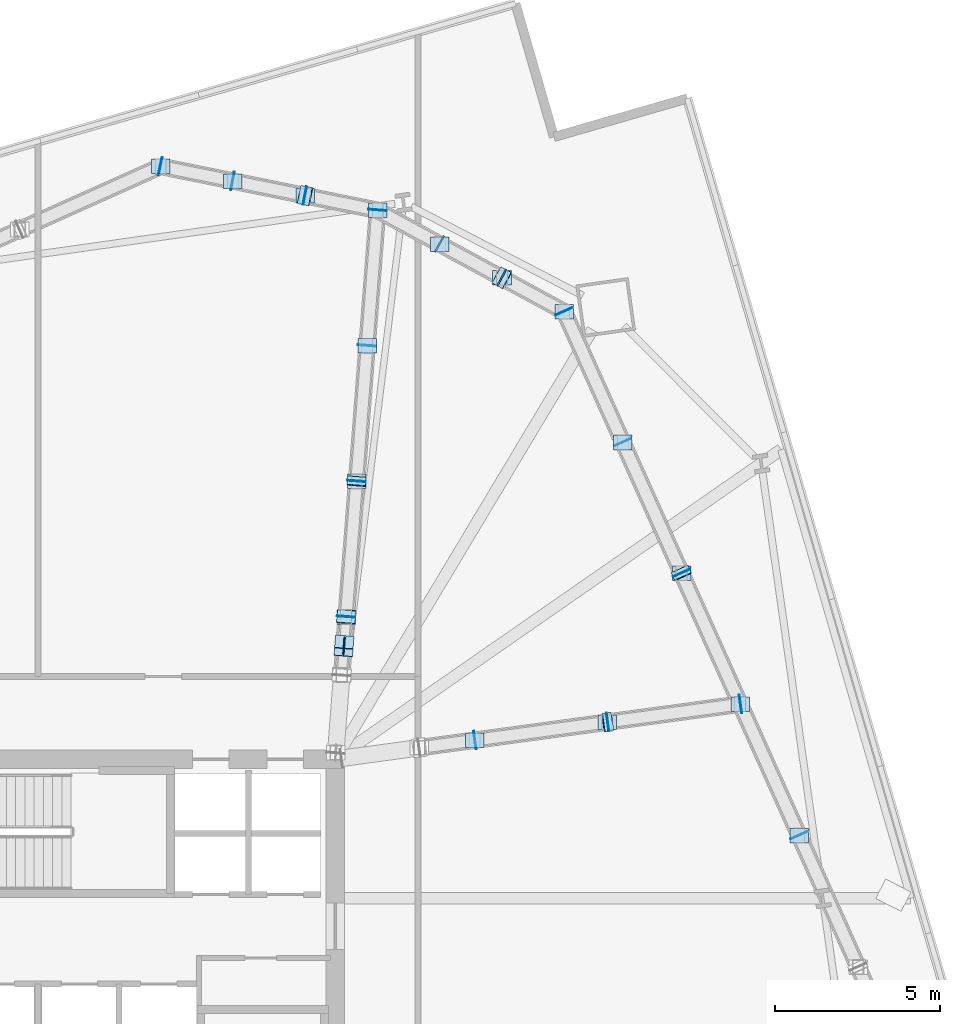
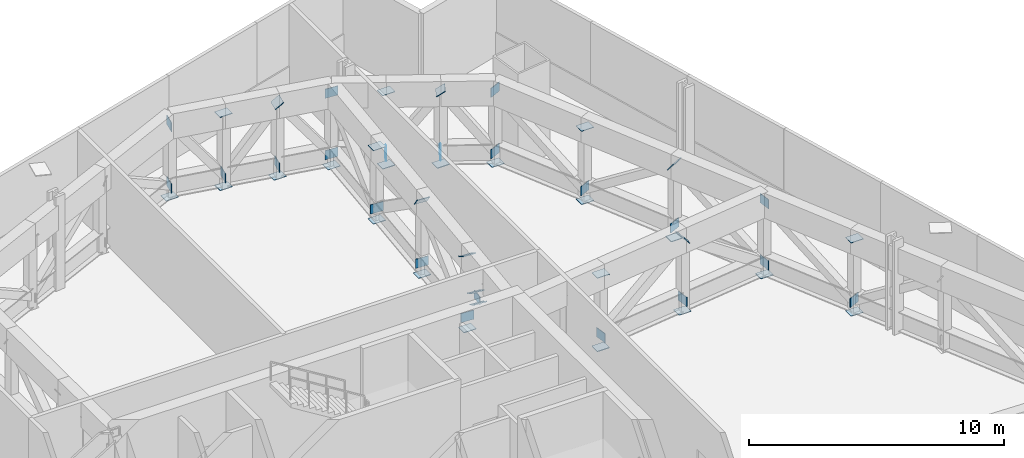
# One storey, part 11 of 19: 51 plates.
"""IFC4 building model written with IfcOpenShell, lengths in metres."""

from ifc_helpers import new_model, si_unit, direction, frame, origin, origin_2d, place, context, subcontext, project, spatial, rectangle, extrude, source, transform, mapped, material, layer, layer_set, type_object, element, save


model = new_model("IFC4")

# Units and contexts
model_context = context("Model", 3, precision=1e-05, world=origin(), true_north=direction((0.0, 1.0)))
body_context = subcontext(model_context, "Body", "Model", "MODEL_VIEW")
ifc_project = project(units=[si_unit("LENGTHUNIT", "METRE"), si_unit("AREAUNIT", "SQUARE_METRE"), si_unit("VOLUMEUNIT", "CUBIC_METRE"), si_unit("PLANEANGLEUNIT", "RADIAN"), si_unit("MASSUNIT", "GRAM", prefix="KILO")], contexts=[model_context])

# Site, building, storey
site_placement = place(None, origin())
site = spatial("IfcSite", under=ifc_project, at=site_placement, CompositionType="ELEMENT")
building_placement = place(site_placement, origin())
building = spatial("IfcBuilding", under=site, at=building_placement, Name="Haldenkirk Collegiate Tower", CompositionType="ELEMENT")
storey_placement = place(building_placement, frame((0.0, 0.0, 81.449951171875)))
storey = spatial("IfcBuildingStorey", under=building, at=storey_placement, Name="L19", CompositionType="ELEMENT", Elevation=81.449951171875)

# Plates
ifc_material = material(Name="Steel ASTM A572 Grade 50", Category="steel")
ifc_layer_1 = layer(ifc_material, 0.028076171875)
ifc_layer_set_1 = layer_set([ifc_layer_1], Name="Steel ASTM A572 Grade 50")
plate_type_1 = type_object("IfcPlateType", Name="PLT-CAP-INT-560X440", PredefinedType="USERDEFINED", material=ifc_layer_set_1)
shared_shape_1 = source(origin(), body_context, "Body", "SweptSolid", [
    extrude(rectangle(XDim=0.56005859375, YDim=0.43994140625, at=origin_2d()), origin(), (0.0, 0.0, 1.0), 0.028076171875),
])
for number, where, z_axis, x_axis, name in (
    (1, (45.33154296875, 38.299072265625, 0.550048828125), (0.076897997311, 0.997038965141, 0.0), (-0.997038965141, 0.076897997311, 0.0), "Outrigger Truss L19 Radial 03 bottom chord 2 end plate 2"),
    (2, (45.254638671875, 37.3017578125, 1.8115234375), (0.039454021028, 0.511546272646, 0.858349457486), (-0.997038896327, 0.076898889525, -1.70939e-07), "Outrigger Truss L19 Radial 03 split X-brace diagonal 2A end cap plate 2"),
    (3, (45.27392578125, 37.55029296875, 2.228515625), (-0.039387974861, -0.511497673544, -0.85838145215), (0.997048270616, -0.076777249639, -3.81703e-07), "Outrigger Truss L19 Radial 03 split X-brace diagonal 2B end cap plate 1"),
    (4, (45.331787109375, 38.300537109375, 3.487548828125), (0.039387974861, 0.511497673544, 0.85838145215), (-0.997048270616, 0.076777249639, 3.81703e-07), "Outrigger Truss L19 Radial 03 split X-brace diagonal 2B end cap plate 2"),
    (5, (45.648193359375, 42.40185546875, 0.550048828125), (0.076897997311, 0.997038965141, 0.0), (-0.997038965141, 0.076897997311, 0.0), "Outrigger Truss L19 Radial 03 bottom chord 3 end plate 2"),
    (6, (45.64794921875, 42.40234375, 3.48828125), (0.062582997094, 0.811248962336, 0.58134197301), (-0.997037603967, 0.076915643891, -2.31915e-07), "Outrigger Truss L19 Radial 03 web diagonal 3 end cap plate 2"),
    (7, (45.964599609375, 46.504638671875, 0.550048828125), (0.076897997311, 0.997038965141, 0.0), (-0.997038965141, 0.076897997311, 0.0), "Outrigger Truss L19 Radial 03 bottom chord 4 end plate 2"),
    (8, (46.281005859375, 50.607177734375, 3.489990234375), (0.076892032787, 0.997039425145, 0.0), (-0.997039425145, 0.076892032787, 0.0), "Outrigger Truss L19 Radial 03 top chord 5 end cap plate 2"),
    (9, (46.281005859375, 50.607177734375, 0.550048828125), (0.076897997311, 0.997038965141, 0.0), (-0.997038965141, 0.076897997311, 0.0), "Outrigger Truss L19 Radial 03 bottom chord 5 end plate 2"),
    (10, (45.331787109375, 38.302001953125, 0.0029296875), (0.0, 0.0, -1.0), (1.0, 0.0, 0.0), "Outrigger Truss L19 Radial 03 vertical post 3 end cap plate 1"),
    (11, (45.648193359375, 42.40478515625, 0.0029296875), (0.0, 0.0, -1.0), (1.0, 0.0, 0.0), "Outrigger Truss L19 Radial 03 vertical post 4 end cap plate 1"),
    (12, (45.964599609375, 46.507568359375, 0.0029296875), (0.0, 0.0, -1.0), (1.0, 0.0, 0.0), "Outrigger Truss L19 Radial 03 vertical post 5 end cap plate 1"),
    (13, (45.964599609375, 46.507568359375, 3.48681640625), (0.0, 0.0, 1.0), (1.0, 0.0, 0.0), "Outrigger Truss L19 Radial 03 vertical post 5 end cap plate 2"),
    (14, (46.281005859375, 50.610107421875, 0.0029296875), (0.0, 0.0, -1.0), (1.0, 0.0, 0.0), "Outrigger Truss L19 Radial 03 vertical post 6 end cap plate 1"),
    (15, (49.214111328125, 34.5732421875, 0.550048828125), (0.990873364768, 0.134796049622, 0.0), (-0.134796049622, 0.990873364768, 0.0), "Outrigger Truss L19 Radial 06 bottom chord 2 end plate 2"),
    (16, (53.233154296875, 35.1201171875, 0.550048828125), (0.990873364768, 0.134796049622, 0.0), (-0.134796049622, 0.990873364768, 0.0), "Outrigger Truss L19 Radial 06 bottom chord 3 end plate 2"),
    (17, (53.23388671875, 35.1201171875, 3.48828125), (0.802277712198, 0.109152960843, 0.586886789466), (-0.134811898078, 0.990871208653, 9.3593e-08), "Outrigger Truss L19 Radial 06 web diagonal 3 end cap plate 2"),
    (18, (57.252197265625, 35.666748046875, 3.489990234375), (0.9908744696, 0.13478792785, 0.0), (-0.13478792785, 0.9908744696, 0.0), "Outrigger Truss L19 Radial 06 top chord 4 end cap plate 2"),
    (19, (57.252197265625, 35.666748046875, 0.550048828125), (0.990873364768, 0.134796049622, 0.0), (-0.134796049622, 0.990873364768, 0.0), "Outrigger Truss L19 Radial 06 bottom chord 4 end plate 2"),
    (20, (49.21728515625, 34.57373046875, 0.0029296875), (0.0, 0.0, -1.0), (1.0, 0.0, 0.0), "Outrigger Truss L19 Radial 06 vertical post 3 end cap plate 1"),
    (21, (49.21728515625, 34.57373046875, 3.48681640625), (0.0, 0.0, 1.0), (1.0, 0.0, 0.0), "Outrigger Truss L19 Radial 06 vertical post 3 end cap plate 2"),
    (22, (53.236083984375, 35.12060546875, 0.0029296875), (0.0, 0.0, -1.0), (1.0, 0.0, 0.0), "Outrigger Truss L19 Radial 06 vertical post 4 end cap plate 1"),
    (23, (57.255126953125, 35.667236328125, 0.0029296875), (0.0, 0.0, -1.0), (1.0, 0.0, 0.0), "Outrigger Truss L19 Radial 06 vertical post 5 end cap plate 1"),
    (24, (59.041015625, 31.6845703125, 0.550048828125), (-0.409123923736, 0.912478829906, 0.0), (-0.912478829906, -0.409123923736, 0.0), "Belt Truss L19-06 bottom chord 2 end plate 2"),
    (25, (59.039794921875, 31.687255859375, 0.0029296875), (0.0, 0.0, -1.0), (1.0, 0.0, 0.0), "Belt Truss L19-06 vertical post 3 end cap plate 1"),
    (26, (59.039794921875, 31.687255859375, 3.48681640625), (0.0, 0.0, 1.0), (1.0, 0.0, 0.0), "Belt Truss L19-06 vertical post 3 end cap plate 2"),
    (27, (55.481689453125, 39.623046875, 0.550048828125), (-0.409128000836, 0.912477001865, 0.0), (-0.912477001865, -0.409128000836, 0.0), "Belt Truss L19-07 bottom chord 1 end plate 2"),
    (28, (55.481201171875, 39.62353515625, 3.488525390625), (-0.338679948584, 0.755364885326, 0.560998914833), (-0.912478681747, -0.409124254178, -2.45415e-07), "Belt Truss L19-07 web diagonal 1 end cap plate 2"),
    (29, (53.70654296875, 43.581787109375, 0.550048828125), (-0.409128000836, 0.912477001865, 0.0), (-0.912477001865, -0.409128000836, 0.0), "Belt Truss L19-07 bottom chord 2 end plate 2"),
    (30, (51.931640625, 47.540283203125, 3.489990234375), (-0.409123923736, 0.912478829906, 0.0), (-0.912478829906, -0.409123923736, 0.0), "Belt Truss L19-07 top chord 3 end cap plate 2"),
    (31, (51.931640625, 47.540283203125, 0.550048828125), (-0.409128000836, 0.912477001865, 0.0), (-0.912477001865, -0.409128000836, 0.0), "Belt Truss L19-07 bottom chord 3 end plate 2"),
    (32, (55.480224609375, 39.625732421875, 0.0029296875), (0.0, 0.0, -1.0), (1.0, 0.0, 0.0), "Belt Truss L19-07 vertical post 2 end cap plate 1"),
    (33, (53.705322265625, 43.58447265625, 0.0029296875), (0.0, 0.0, -1.0), (1.0, 0.0, 0.0), "Belt Truss L19-07 vertical post 3 end cap plate 1"),
    (34, (53.705322265625, 43.58447265625, 3.48681640625), (0.0, 0.0, 1.0), (1.0, 0.0, 0.0), "Belt Truss L19-07 vertical post 3 end cap plate 2"),
    (35, (51.930419921875, 47.543212890625, 0.0029296875), (0.0, 0.0, -1.0), (1.0, 0.0, 0.0), "Belt Truss L19-07 vertical post 4 end cap plate 1"),
    (36, (50.050048828125, 48.564208984375, 0.550048828125), (-0.878831495668, 0.477132269106, 0.0), (-0.477132269106, -0.878831495668, 0.0), "Belt Truss L19-08 bottom chord 1 end plate 2"),
    (37, (50.048828125, 48.564697265625, 3.48779296875), (-0.517620934749, 0.281033964573, 0.808138898127), (-0.477144027558, -0.878825111706, -3.9901e-08), "Belt Truss L19-08 web diagonal 1 end cap plate 2"),
    (38, (48.1669921875, 49.58642578125, 0.550048828125), (-0.878831495668, 0.477132269106, 0.0), (-0.477132269106, -0.878831495668, 0.0), "Belt Truss L19-08 bottom chord 2 end plate 2"),
    (39, (50.04736328125, 48.5654296875, 0.0029296875), (0.0, 0.0, -1.0), (1.0, 0.0, 0.0), "Belt Truss L19-08 vertical post 2 end cap plate 1"),
    (40, (48.164306640625, 49.587890625, 0.0029296875), (0.0, 0.0, -1.0), (1.0, 0.0, 0.0), "Belt Truss L19-08 vertical post 3 end cap plate 1"),
    (41, (48.164306640625, 49.587890625, 3.48681640625), (0.0, 0.0, 1.0), (1.0, 0.0, 0.0), "Belt Truss L19-08 vertical post 3 end cap plate 2"),
    (42, (44.095703125, 51.05322265625, 0.550048828125), (-0.980071528973, 0.19864490453, 0.0), (-0.19864490453, -0.980071528973, 0.0), "Belt Truss L19-09 bottom chord 1 end plate 2"),
    (43, (44.094482421875, 51.05322265625, 3.487548828125), (-0.592756007229, 0.120133001465, 0.796372009712), (-0.198630169597, -0.980074515395, 8.4067e-08), "Belt Truss L19-09 web diagonal 1 end cap plate 2"),
    (44, (41.907470703125, 51.496826171875, 0.550048828125), (-0.980071528973, 0.19864490453, 0.0), (-0.19864490453, -0.980071528973, 0.0), "Belt Truss L19-09 bottom chord 2 end plate 2"),
    (45, (39.718994140625, 51.9404296875, 3.489990234375), (-0.980074528076, 0.198630107024, 0.0), (-0.198630107024, -0.980074528076, 0.0), "Belt Truss L19-09 top chord 3 end cap plate 2"),
    (46, (39.718994140625, 51.9404296875, 0.550048828125), (-0.980071528973, 0.19864490453, 0.0), (-0.19864490453, -0.980071528973, 0.0), "Belt Truss L19-09 bottom chord 3 end plate 2"),
    (47, (44.0927734375, 51.0537109375, 0.0029296875), (0.0, 0.0, -1.0), (1.0, 0.0, 0.0), "Belt Truss L19-09 vertical post 2 end cap plate 1"),
    (48, (41.904541015625, 51.497314453125, 0.0029296875), (0.0, 0.0, -1.0), (1.0, 0.0, 0.0), "Belt Truss L19-09 vertical post 3 end cap plate 1"),
    (49, (41.904541015625, 51.497314453125, 3.48681640625), (0.0, 0.0, 1.0), (1.0, 0.0, 0.0), "Belt Truss L19-09 vertical post 3 end cap plate 2"),
    (50, (39.71630859375, 51.94091796875, 0.0029296875), (0.0, 0.0, -1.0), (1.0, 0.0, 0.0), "Belt Truss L19-09 vertical post 4 end cap plate 1"),
):
    element("IfcPlate", number, at=place(storey_placement, frame(where, z_axis=z_axis, x_axis=x_axis)), inside=storey, type_object=plate_type_1, Name=name, ObjectType="END CAP PLATE", PredefinedType="USERDEFINED", context=body_context, shape_type="MappedRepresentation", body=[
        mapped(shared_shape_1, transform((0.0, 0.0, 0.0), x_axis=(1.0, 0.0, 0.0), y_axis=(0.0, 1.0, 0.0), z_axis=(0.0, 0.0, 1.0), scale=1.0)),
    ])
ifc_layer_2 = layer(ifc_material, 0.031982421875)
ifc_layer_set_2 = layer_set([ifc_layer_2], Name="Steel ASTM A572 Grade 50")
plate_type_2 = type_object("IfcPlateType", Name="PLT-GUSSET-INT-520X380", PredefinedType="USERDEFINED", material=ifc_layer_set_2)
shared_shape_2 = source(origin(), body_context, "Body", "SweptSolid", [
    extrude(rectangle(XDim=0.52001953125, YDim=0.031982421875, at=origin_2d()), origin(), (0.0, 0.0, 1.0), 0.3798828125),
])
plate_placement = place(storey_placement, frame((45.264404296875, 37.426025390625, 1.830078125), z_axis=(0.0, 0.0, 1.0), x_axis=(0.076897668021, 0.997038990538, 0.0)))
element("IfcPlate", 51, at=plate_placement, inside=storey, type_object=plate_type_2, Name="Outrigger Truss L19 Radial 03 X-brace crossing gusset plate 2", ObjectType="GUSSET PLATE", PredefinedType="USERDEFINED", context=body_context, shape_type="MappedRepresentation", body=[
    mapped(shared_shape_2, transform((0.0, 0.0, 0.0), x_axis=(1.0, 0.0, 0.0), y_axis=(0.0, 1.0, 0.0), z_axis=(0.0, 0.0, 1.0), scale=1.0)),
])

save(model, "model.ifc")
